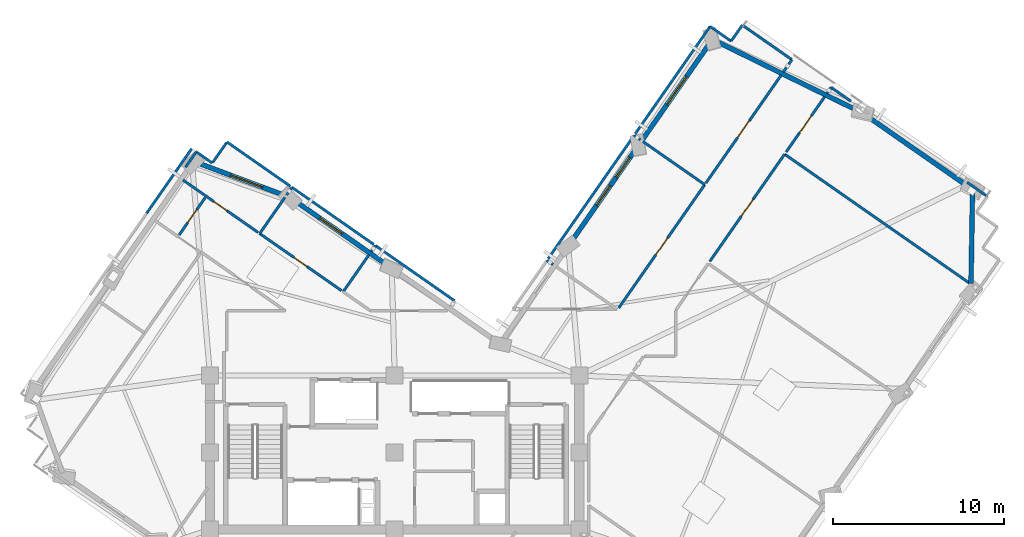
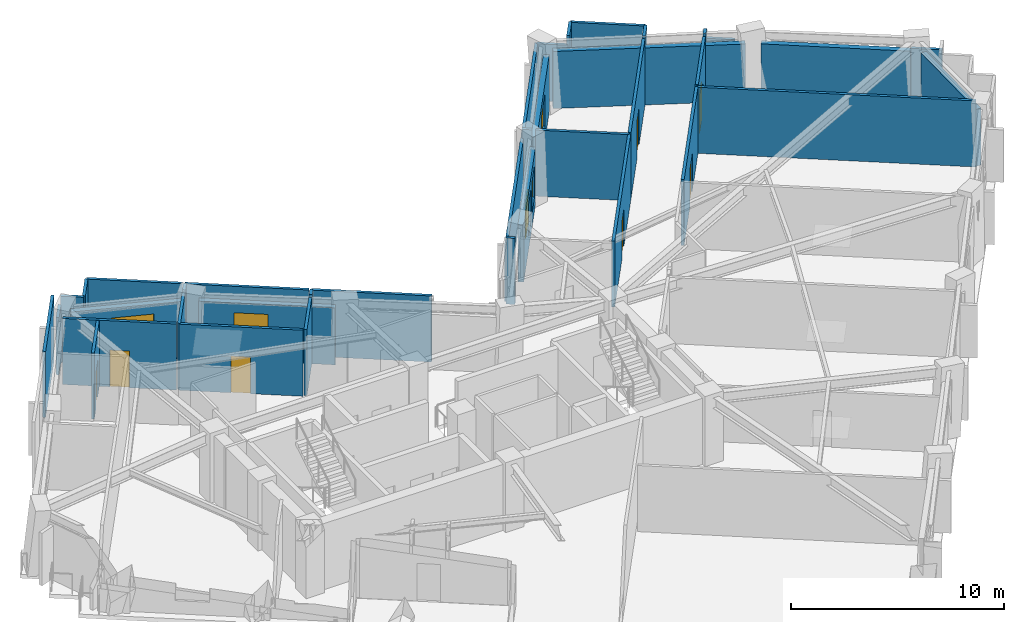
# One storey, part 6 of 12: 38 walls, 7 doors, 5 windows, 12 openings.
"""IFC4 building model written with IfcOpenShell, lengths in metres."""

from ifc_helpers import new_model, si_unit, direction, frame, frame_2d, origin, place, context, subcontext, project, spatial, rectangle, extrude, material, layer, layer_set, type_object, element, fill, save


model = new_model("IFC4")

# Units and contexts
model_context = context("Model", 3, precision=1e-05, world=origin(), true_north=direction((0.0, 1.0)))
body_context = subcontext(model_context, "Body", "Model", "MODEL_VIEW")
ifc_project = project(units=[si_unit("LENGTHUNIT", "METRE"), si_unit("AREAUNIT", "SQUARE_METRE"), si_unit("VOLUMEUNIT", "CUBIC_METRE"), si_unit("PLANEANGLEUNIT", "RADIAN"), si_unit("MASSUNIT", "GRAM", prefix="KILO")], contexts=[model_context])

# Site, building, storey
site_placement = place(None, origin())
site = spatial("IfcSite", under=ifc_project, at=site_placement, CompositionType="ELEMENT")
building_placement = place(site_placement, origin())
building = spatial("IfcBuilding", under=site, at=building_placement, Name="Gaonmaruhae Medical Tower", CompositionType="ELEMENT")
storey_placement = place(building_placement, frame((0.0, 0.0, 259.199951171875)))
storey = spatial("IfcBuildingStorey", under=building, at=storey_placement, Name="L62", CompositionType="ELEMENT", Elevation=259.199951171875)

# Walls
ifc_material_1 = material(Name="Precast concrete C45/55", Category="concrete")
ifc_layer_1 = layer(ifc_material_1, 0.280029296875)
ifc_layer_set_1 = layer_set([ifc_layer_1], Name="Precast concrete C45/55")
wall_type_1 = type_object("IfcWallType", Name="EW-280 Upper Precast Masonry-Frame Facade Wall", PredefinedType="SOLIDWALL", material=ifc_layer_set_1)
wall_1_placement = place(storey_placement, frame((58.5830078125, 27.480712890625, 0.0), z_axis=(0.0, 0.0, 1.0), x_axis=(-0.01655524398, -0.999862952557, 0.0)))
element("IfcWall", 1, at=wall_1_placement, inside=storey, type_object=wall_type_1, Name="L62 Precast Masonry-Frame Wall S06-E01", PredefinedType="SOLIDWALL", context=body_context, shape_type="SweptSolid", body=[
    extrude(rectangle(XDim=5.294189453125, YDim=0.280029296875, at=frame_2d((2.64697265625, 0.0))), origin(), (0.0, 0.0, 1.0), 3.26513671875),
])
wall_2_placement = place(storey_placement, frame((52.392578125, 31.9912109375, 0.0), z_axis=(0.0, 0.0, 1.0), x_axis=(0.820153799644, -0.572143115776, 0.0)))
element("IfcWall", 2, at=wall_2_placement, inside=storey, type_object=wall_type_1, Name="L62 Precast Masonry-Frame Wall E01-E02", PredefinedType="SOLIDWALL", context=body_context, shape_type="SweptSolid", body=[
    extrude(rectangle(XDim=7.04638671875, YDim=0.280029296875, at=frame_2d((3.523193359375, 0.0))), origin(), (0.0, 0.0, 1.0), 3.26513671875),
])
wall_3_placement = place(storey_placement, frame((43.62109375, 36.33251953125, 0.0), z_axis=(0.0, 0.0, 1.0), x_axis=(0.897954429187, -0.440088449182, 0.0)))
element("IfcWall", 3, at=wall_3_placement, inside=storey, type_object=wall_type_1, Name="L62 Precast Masonry-Frame Wall E02-E03", PredefinedType="SOLIDWALL", context=body_context, shape_type="SweptSolid", body=[
    extrude(rectangle(XDim=9.036376953125, YDim=0.280029296875, at=frame_2d((4.51806640625, 0.0))), origin(), (0.0, 0.0, 1.0), 3.26513671875),
])

# Wall, opening, window
wall_4_placement = place(storey_placement, frame((39.2861328125, 30.59130859375, 0.0), z_axis=(0.0, 0.0, 1.0), x_axis=(0.572151742902, 0.820147781253, 0.0)))
wall_4 = element("IfcWall", 4, at=wall_4_placement, inside=storey, type_object=wall_type_1, Name="L62 Precast Masonry-Frame Wall E03-EN01", PredefinedType="SOLIDWALL", context=body_context, shape_type="SweptSolid", body=[
    extrude(rectangle(XDim=6.780029296875, YDim=0.280029296875, at=frame_2d((3.39013671875, 0.0))), origin(), (0.0, 0.0, 1.0), 3.26513671875),
])
opening_1_placement = place(wall_4_placement, frame((2.513671875, 0.0, 0.75)))
opening_1 = element("IfcOpeningElement", 5, at=opening_1_placement, cuts=wall_4, Name="Opening WN-02", PredefinedType="OPENING", context=body_context, shape_type="SweptSolid", body=[
    extrude(rectangle(XDim=2.0, YDim=1.949951171875, at=frame_2d((1.0, 0.97509765625))), frame((0.0, 0.14990234375, 0.0), z_axis=(0.0, -1.0, 0.0), x_axis=(1.0, 0.0, 0.0)), (0.0, 0.0, 1.0), 0.300048828125),
])
ifc_material_2 = material(Name="Anodised aluminium and Low-E double glazing", Category="aluminium")
window_type_1 = type_object("IfcWindowType", Name="WN-02 Double-Bed Ward Punched Window 2000x1950", PartitioningType="SINGLE_PANEL", PredefinedType="WINDOW", material=ifc_material_2)
window_1_placement = place(opening_1_placement, origin())
window_1 = element("IfcWindow", 6, at=window_1_placement, inside=storey, type_object=window_type_1, Name="L62 Modular Facade Window E03", OverallHeight=1.949951171875, OverallWidth=2.0, PartitioningType="SINGLE_PANEL", PredefinedType="WINDOW", context=body_context, shape_type="SweptSolid", body=[
    extrude(rectangle(XDim=2.0, YDim=1.949951171875, at=frame_2d((1.0, 0.97509765625))), frame((0.0, 0.030029296875, 0.0), z_axis=(0.0, -1.0, 0.0), x_axis=(1.0, 0.0, 0.0)), (0.0, 0.0, 1.0), 0.06005859375),
])
fill(opening_1, window_1)

# Wall, openings, windows
wall_5_placement = place(storey_placement, frame((35.169921875, 24.69091796875, 0.0), z_axis=(0.0, 0.0, 1.0), x_axis=(0.572139886834, 0.820156052159, 0.0)))
wall_5 = element("IfcWall", 7, at=wall_5_placement, inside=storey, type_object=wall_type_1, Name="L62 Precast Masonry-Frame Wall EN01-EN02", PredefinedType="SOLIDWALL", context=body_context, shape_type="SweptSolid", body=[
    extrude(rectangle(XDim=6.4091796875, YDim=0.280029296875, at=frame_2d((3.20458984375, 0.0))), origin(), (0.0, 0.0, 1.0), 3.26513671875),
])
opening_2_placement = place(wall_5_placement, frame((2.50341796875, 0.0, 0.75)))
opening_2 = element("IfcOpeningElement", 8, at=opening_2_placement, cuts=wall_5, Name="Opening WN-03", PredefinedType="OPENING", context=body_context, shape_type="SweptSolid", body=[
    extrude(rectangle(XDim=1.39990234375, YDim=1.85009765625, at=frame_2d((0.699951171875, 0.925048828125))), frame((0.0, 0.14990234375, 0.0), z_axis=(0.0, -1.0, 0.0), x_axis=(1.0, 0.0, 0.0)), (0.0, 0.0, 1.0), 0.300048828125),
])
opening_3_placement = place(wall_5_placement, frame((4.52001953125, 0.0, 0.75)))
opening_3 = element("IfcOpeningElement", 9, at=opening_3_placement, cuts=wall_5, Name="Opening WN-03", PredefinedType="OPENING", context=body_context, shape_type="SweptSolid", body=[
    extrude(rectangle(XDim=1.39990234375, YDim=1.85009765625, at=frame_2d((0.699951171875, 0.925048828125))), frame((0.0, 0.14990234375, 0.0), z_axis=(0.0, -1.0, 0.0), x_axis=(1.0, 0.0, 0.0)), (0.0, 0.0, 1.0), 0.300048828125),
])
window_type_2 = type_object("IfcWindowType", Name="WN-03 Isolation Ward Punched Window 1400x1850", PartitioningType="SINGLE_PANEL", PredefinedType="WINDOW", material=ifc_material_2)
window_2_placement = place(opening_2_placement, origin())
window_2 = element("IfcWindow", 10, at=window_2_placement, inside=storey, type_object=window_type_2, Name="L62 Modular Facade Window EN01", OverallHeight=1.85009765625, OverallWidth=1.39990234375, PartitioningType="SINGLE_PANEL", PredefinedType="WINDOW", context=body_context, shape_type="SweptSolid", body=[
    extrude(rectangle(XDim=1.39990234375, YDim=1.85009765625, at=frame_2d((0.699951171875, 0.925048828125))), frame((0.0, 0.030029296875, 0.0), z_axis=(0.0, -1.0, 0.0), x_axis=(1.0, 0.0, 0.0)), (0.0, 0.0, 1.0), 0.06005859375),
])
fill(opening_2, window_2)
window_3_placement = place(opening_3_placement, origin())
window_3 = element("IfcWindow", 11, at=window_3_placement, inside=storey, type_object=window_type_2, Name="L62 Modular Facade Window EN01B", OverallHeight=1.85009765625, OverallWidth=1.39990234375, PartitioningType="SINGLE_PANEL", PredefinedType="WINDOW", context=body_context, shape_type="SweptSolid", body=[
    extrude(rectangle(XDim=1.39990234375, YDim=1.85009765625, at=frame_2d((0.699951171875, 0.925048828125))), frame((0.0, 0.030029296875, 0.0), z_axis=(0.0, -1.0, 0.0), x_axis=(1.0, 0.0, 0.0)), (0.0, 0.0, 1.0), 0.06005859375),
])
fill(opening_3, window_3)

# Wall, opening, window
wall_6_placement = place(storey_placement, frame((19.056396484375, 26.95947265625, 0.0), z_axis=(0.0, 0.0, 1.0), x_axis=(0.820153911143, -0.572142955945, 0.0)))
wall_6 = element("IfcWall", 12, at=wall_6_placement, inside=storey, type_object=wall_type_1, Name="L62 Precast Masonry-Frame Wall NE01-NE02", PredefinedType="SOLIDWALL", context=body_context, shape_type="SweptSolid", body=[
    extrude(rectangle(XDim=6.424072265625, YDim=0.280029296875, at=frame_2d((3.2119140625, 0.0))), origin(), (0.0, 0.0, 1.0), 3.26513671875),
])
opening_4_placement = place(wall_6_placement, frame((1.66357421875, 0.0, 0.75)))
opening_4 = element("IfcOpeningElement", 13, at=opening_4_placement, cuts=wall_6, Name="Opening WN-01", PredefinedType="OPENING", context=body_context, shape_type="SweptSolid", body=[
    extrude(rectangle(XDim=1.60009765625, YDim=1.949951171875, at=frame_2d((0.800048828125, 0.97509765625))), frame((0.0, 0.14990234375, 0.0), z_axis=(0.0, -1.0, 0.0), x_axis=(1.0, 0.0, 0.0)), (0.0, 0.0, 1.0), 0.300048828125),
])
window_type_3 = type_object("IfcWindowType", Name="WN-01 Ward Punched Acoustic Window 1600x1950", PartitioningType="SINGLE_PANEL", PredefinedType="WINDOW", material=ifc_material_2)
window_4_placement = place(opening_4_placement, origin())
window_4 = element("IfcWindow", 14, at=window_4_placement, inside=storey, type_object=window_type_3, Name="L62 Modular Facade Window NE01", OverallHeight=1.949951171875, OverallWidth=1.60009765625, PartitioningType="SINGLE_PANEL", PredefinedType="WINDOW", context=body_context, shape_type="SweptSolid", body=[
    extrude(rectangle(XDim=1.60009765625, YDim=1.949951171875, at=frame_2d((0.800048828125, 0.97509765625))), frame((0.0, 0.030029296875, 0.0), z_axis=(0.0, -1.0, 0.0), x_axis=(1.0, 0.0, 0.0)), (0.0, 0.0, 1.0), 0.06005859375),
])
fill(opening_4, window_4)

wall_7_placement = place(storey_placement, frame((13.402099609375, 29.19140625, 0.0), z_axis=(0.0, 0.0, 1.0), x_axis=(0.936554152669, -0.350522922387, 0.0)))
wall_7 = element("IfcWall", 15, at=wall_7_placement, inside=storey, type_object=wall_type_1, Name="L62 Precast Masonry-Frame Wall NE02-N01", PredefinedType="SOLIDWALL", context=body_context, shape_type="SweptSolid", body=[
    extrude(rectangle(XDim=5.302490234375, YDim=0.280029296875, at=frame_2d((2.6513671875, 0.0))), origin(), (0.0, 0.0, 1.0), 3.26513671875),
])
opening_5_placement = place(wall_7_placement, frame((1.927001953125, 0.0, 0.75)))
opening_5 = element("IfcOpeningElement", 16, at=opening_5_placement, cuts=wall_7, Name="Opening WN-02", PredefinedType="OPENING", context=body_context, shape_type="SweptSolid", body=[
    extrude(rectangle(XDim=2.0, YDim=1.949951171875, at=frame_2d((1.0, 0.97509765625))), frame((0.0, 0.14990234375, 0.0), z_axis=(0.0, -1.0, 0.0), x_axis=(1.0, 0.0, 0.0)), (0.0, 0.0, 1.0), 0.300048828125),
])
window_5_placement = place(opening_5_placement, origin())
window_5 = element("IfcWindow", 17, at=window_5_placement, inside=storey, type_object=window_type_1, Name="L62 Modular Facade Window NE02", OverallHeight=1.949951171875, OverallWidth=2.0, PartitioningType="SINGLE_PANEL", PredefinedType="WINDOW", context=body_context, shape_type="SweptSolid", body=[
    extrude(rectangle(XDim=2.0, YDim=1.949951171875, at=frame_2d((1.0, 0.97509765625))), frame((0.0, 0.030029296875, 0.0), z_axis=(0.0, -1.0, 0.0), x_axis=(1.0, 0.0, 0.0)), (0.0, 0.0, 1.0), 0.06005859375),
])
fill(opening_5, window_5)

# Wall, opening, door
ifc_material_3 = material(Name="Gypsum board partition", Category="gypsum")
ifc_layer_2 = layer(ifc_material_3, 0.14990234375)
ifc_layer_set_2 = layer_set([ifc_layer_2], Name="Gypsum board partition")
wall_type_2 = type_object("IfcWallType", Name="PW-150 Rated Clinical Corridor Partition", PredefinedType="PARTITIONING", material=ifc_layer_set_2)
wall_8_placement = place(storey_placement, frame((43.22607421875, 23.47998046875, 0.0), z_axis=(0.0, 0.0, 1.0), x_axis=(0.572106115417, 0.820179610026, 0.0)))
wall_8 = element("IfcWall", 18, at=wall_8_placement, inside=storey, type_object=wall_type_2, Name="L62 Interior Partition L62-SUP05-23", PredefinedType="PARTITIONING", context=body_context, shape_type="SweptSolid", body=[
    extrude(rectangle(XDim=7.639892578125, YDim=0.14990234375, at=frame_2d((3.81982421875, 0.0))), origin(), (0.0, 0.0, 1.0), 3.780029296875),
])
opening_6_placement = place(wall_8_placement, frame((3.219970703125, 0.0, 0.0)))
opening_6 = element("IfcOpeningElement", 19, at=opening_6_placement, cuts=wall_8, Name="Opening CD-02", PredefinedType="OPENING", context=body_context, shape_type="SweptSolid", body=[
    extrude(rectangle(XDim=1.199951171875, YDim=2.14990234375, at=frame_2d((0.60009765625, 1.074951171875))), frame((0.0, 0.0849609375, 0.0), z_axis=(0.0, -1.0, 0.0), x_axis=(1.0, 0.0, 0.0)), (0.0, 0.0, 1.0), 0.169921875),
])
ifc_material_4 = material(Name="Antimicrobial laminate timber fire door", Category="wood")
door_type_1 = type_object("IfcDoorType", Name="CD-02 Clinical Treatment & Procedure Door 1200x2150", OperationType="NOTDEFINED", PredefinedType="DOOR", material=ifc_material_4)
door_1_placement = place(opening_6_placement, origin())
door_1 = element("IfcDoor", 20, at=door_1_placement, inside=storey, type_object=door_type_1, Name="L62 Clinical Biomedical Charting Office Door", OperationType="SINGLE_SWING_RIGHT", OverallHeight=2.14990234375, OverallWidth=1.199951171875, PredefinedType="DOOR", context=body_context, shape_type="SweptSolid", body=[
    extrude(rectangle(XDim=1.199951171875, YDim=2.14990234375, at=frame_2d((0.60009765625, 1.074951171875))), frame((0.0, 0.02490234375, 0.0), z_axis=(0.0, -1.0, 0.0), x_axis=(1.0, 0.0, 0.0)), (0.0, 0.0, 1.0), 0.050048828125),
])
fill(opening_6, door_1)

# Wall
wall_9_placement = place(storey_placement, frame((47.596923828125, 29.74609375, 0.0), z_axis=(0.0, 0.0, 1.0), x_axis=(0.820150255488, -0.572148196207, 0.0)))
element("IfcWall", 21, at=wall_9_placement, inside=storey, type_object=wall_type_2, Name="L62 Interior Partition L62-SUP05-24", PredefinedType="PARTITIONING", context=body_context, shape_type="SweptSolid", body=[
    extrude(rectangle(XDim=13.14892578125, YDim=0.14990234375, at=frame_2d((6.574462890625, 0.0))), origin(), (0.0, 0.0, 1.0), 3.780029296875),
])

# Wall, opening, door
wall_10_placement = place(storey_placement, frame((47.68896484375, 29.876953125, 0.0), z_axis=(0.0, 0.0, 1.0), x_axis=(0.572088498576, 0.820191898154, 0.0)))
wall_10 = element("IfcWall", 22, at=wall_10_placement, inside=storey, type_object=wall_type_2, Name="L62 Interior Partition L62-SUP06-31", PredefinedType="PARTITIONING", context=body_context, shape_type="SweptSolid", body=[
    extrude(rectangle(XDim=3.93798828125, YDim=0.14990234375, at=frame_2d((1.968994140625, 0.0))), origin(), (0.0, 0.0, 1.0), 3.780029296875),
])
opening_7_placement = place(wall_10_placement, frame((1.369140625, 0.0, 0.0)))
opening_7 = element("IfcOpeningElement", 23, at=opening_7_placement, cuts=wall_10, Name="Opening CD-02", PredefinedType="OPENING", context=body_context, shape_type="SweptSolid", body=[
    extrude(rectangle(XDim=1.199951171875, YDim=2.14990234375, at=frame_2d((0.60009765625, 1.074951171875))), frame((0.0, 0.0849609375, 0.0), z_axis=(0.0, -1.0, 0.0), x_axis=(1.0, 0.0, 0.0)), (0.0, 0.0, 1.0), 0.169921875),
])
door_2_placement = place(opening_7_placement, origin())
door_2 = element("IfcDoor", 24, at=door_2_placement, inside=storey, type_object=door_type_1, Name="L62 Clinical Biomedical Charting Office Door", OperationType="SINGLE_SWING_RIGHT", OverallHeight=2.14990234375, OverallWidth=1.199951171875, PredefinedType="DOOR", context=body_context, shape_type="SweptSolid", body=[
    extrude(rectangle(XDim=1.199951171875, YDim=2.14990234375, at=frame_2d((0.60009765625, 1.074951171875))), frame((0.0, 0.02490234375, 0.0), z_axis=(0.0, -1.0, 0.0), x_axis=(1.0, 0.0, 0.0)), (0.0, 0.0, 1.0), 0.050048828125),
])
fill(opening_7, door_2)

# Walls
wall_11_placement = place(storey_placement, frame((50.074951171875, 33.297119140625, 0.0), z_axis=(0.0, 0.0, 1.0), x_axis=(0.571804370731, 0.820390005798, 0.0)))
element("IfcWall", 25, at=wall_11_placement, inside=storey, type_object=wall_type_2, Name="L62 Interior Partition L62-SUP06-32", PredefinedType="PARTITIONING", context=body_context, shape_type="SweptSolid", body=[
    extrude(rectangle(XDim=0.42529296875, YDim=0.14990234375, at=frame_2d((0.212646484375, 0.0))), origin(), (0.0, 0.0, 1.0), 3.780029296875),
])
wall_12_placement = place(storey_placement, frame((50.318115234375, 33.64599609375, 0.0), z_axis=(0.0, 0.0, 1.0), x_axis=(0.820143998483, -0.572157165255, 0.0)))
element("IfcWall", 26, at=wall_12_placement, inside=storey, type_object=wall_type_2, Name="L62 Interior Partition L62-SUP06-33", PredefinedType="PARTITIONING", context=body_context, shape_type="SweptSolid", body=[
    extrude(rectangle(XDim=1.40673828125, YDim=0.14990234375, at=frame_2d((0.703369140625, 0.0))), origin(), (0.0, 0.0, 1.0), 3.26513671875),
])
wall_13_placement = place(storey_placement, frame((58.26904296875, 28.09912109375, 0.0), z_axis=(0.0, 0.0, 1.0), x_axis=(0.820097669711, -0.572223568314, 0.0)))
element("IfcWall", 27, at=wall_13_placement, inside=storey, type_object=wall_type_2, Name="L62 Interior Partition L62-SUP06-35", PredefinedType="PARTITIONING", context=body_context, shape_type="SweptSolid", body=[
    extrude(rectangle(XDim=1.455810546875, YDim=0.14990234375, at=frame_2d((0.72802734375, 0.0))), origin(), (0.0, 0.0, 1.0), 3.26513671875),
])
wall_14_placement = place(storey_placement, frame((33.697998046875, 23.5419921875, 0.0), z_axis=(0.0, 0.0, 1.0), x_axis=(0.820126954301, -0.572181596024, 0.0)))
element("IfcWall", 28, at=wall_14_placement, inside=storey, type_object=wall_type_2, Name="L62 Interior Partition L62-IE01-54", PredefinedType="PARTITIONING", context=body_context, shape_type="SweptSolid", body=[
    extrude(rectangle(XDim=0.435302734375, YDim=0.14990234375, at=frame_2d((0.2177734375, 0.0))), origin(), (0.0, 0.0, 1.0), 3.780029296875),
])

# Wall, opening, door
wall_15_placement = place(storey_placement, frame((42.927978515625, 27.964111328125, 0.0), z_axis=(0.0, 0.0, 1.0), x_axis=(-0.572175077439, -0.820131502113, 0.0)))
wall_15 = element("IfcWall", 29, at=wall_15_placement, inside=storey, type_object=wall_type_2, Name="L62 Interior Partition L62-IE02-59", PredefinedType="PARTITIONING", context=body_context, shape_type="SweptSolid", body=[
    extrude(rectangle(XDim=8.78759765625, YDim=0.14990234375, at=frame_2d((4.393798828125, 0.0))), origin(), (0.0, 0.0, 1.0), 3.780029296875),
])
opening_8_placement = place(wall_15_placement, frame((3.793701171875, 0.0, 0.0)))
opening_8 = element("IfcOpeningElement", 30, at=opening_8_placement, cuts=wall_15, Name="Opening CD-02", PredefinedType="OPENING", context=body_context, shape_type="SweptSolid", body=[
    extrude(rectangle(XDim=1.199951171875, YDim=2.14990234375, at=frame_2d((0.60009765625, 1.074951171875))), frame((0.0, 0.0849609375, 0.0), z_axis=(0.0, -1.0, 0.0), x_axis=(1.0, 0.0, 0.0)), (0.0, 0.0, 1.0), 0.169921875),
])
door_3_placement = place(opening_8_placement, origin())
door_3 = element("IfcDoor", 31, at=door_3_placement, inside=storey, type_object=door_type_1, Name="L62 Acute Treatment Examination Room Door", OperationType="SINGLE_SWING_LEFT", OverallHeight=2.14990234375, OverallWidth=1.199951171875, PredefinedType="DOOR", context=body_context, shape_type="SweptSolid", body=[
    extrude(rectangle(XDim=1.199951171875, YDim=2.14990234375, at=frame_2d((0.60009765625, 1.074951171875))), frame((0.0, 0.02490234375, 0.0), z_axis=(0.0, -1.0, 0.0), x_axis=(1.0, 0.0, 0.0)), (0.0, 0.0, 1.0), 0.050048828125),
])
fill(opening_8, door_3)

# Walls
wall_16_placement = place(storey_placement, frame((33.76611328125, 23.639892578125, 0.0), z_axis=(0.0, 0.0, 1.0), x_axis=(0.572104245641, 0.820180914262, 0.0)))
element("IfcWall", 32, at=wall_16_placement, inside=storey, type_object=wall_type_2, Name="L62 Interior Partition L62-IE02-60", PredefinedType="PARTITIONING", context=body_context, shape_type="SweptSolid", body=[
    extrude(rectangle(XDim=8.788330078125, YDim=0.14990234375, at=frame_2d((4.39404296875, 0.0))), origin(), (0.0, 0.0, 1.0), 3.26513671875),
])
wall_17_placement = place(storey_placement, frame((38.7939453125, 30.847900390625, 0.0), z_axis=(0.0, 0.0, 1.0), x_axis=(0.820179124448, -0.572106811548, 0.0)))
element("IfcWall", 33, at=wall_17_placement, inside=storey, type_object=wall_type_2, Name="L62 Interior Partition L62-IE02-61", PredefinedType="PARTITIONING", context=body_context, shape_type="SweptSolid", body=[
    extrude(rectangle(XDim=0.459716796875, YDim=0.14990234375, at=frame_2d((0.22998046875, 0.0))), origin(), (0.0, 0.0, 1.0), 3.780029296875),
])
wall_18_placement = place(storey_placement, frame((39.319091796875, 30.48095703125, 0.0), z_axis=(0.0, 0.0, 1.0), x_axis=(0.820231700671, -0.572031430268, 0.0)))
element("IfcWall", 34, at=wall_18_placement, inside=storey, type_object=wall_type_2, Name="L62 Interior Partition L62-IE02-62", PredefinedType="PARTITIONING", context=body_context, shape_type="SweptSolid", body=[
    extrude(rectangle(XDim=4.39990234375, YDim=0.14990234375, at=frame_2d((2.199951171875, 0.0))), origin(), (0.0, 0.0, 1.0), 3.780029296875),
])
wall_19_placement = place(storey_placement, frame((44.468994140625, 36.360107421875, 0.0), z_axis=(0.0, 0.0, 1.0), x_axis=(0.572124636032, 0.82016669089, 0.0)))
element("IfcWall", 35, at=wall_19_placement, inside=storey, type_object=wall_type_2, Name="L62 Interior Partition L62-IE03-63", PredefinedType="PARTITIONING", context=body_context, shape_type="SweptSolid", body=[
    extrude(rectangle(XDim=1.139892578125, YDim=0.14990234375, at=frame_2d((0.56982421875, 0.0))), origin(), (0.0, 0.0, 1.0), 3.780029296875),
])
wall_20_placement = place(storey_placement, frame((45.12109375, 37.294921875, 0.0), z_axis=(0.0, 0.0, 1.0), x_axis=(0.820260896589, -0.571989564176, 0.0)))
element("IfcWall", 36, at=wall_20_placement, inside=storey, type_object=wall_type_2, Name="L62 Interior Partition L62-IE03-64", PredefinedType="PARTITIONING", context=body_context, shape_type="SweptSolid", body=[
    extrude(rectangle(XDim=3.5400390625, YDim=0.14990234375, at=frame_2d((1.77001953125, 0.0))), origin(), (0.0, 0.0, 1.0), 3.780029296875),
])
wall_21_placement = place(storey_placement, frame((48.02490234375, 35.27001953125, 0.0), z_axis=(0.0, 0.0, 1.0), x_axis=(-0.572138151462, -0.82015726275, 0.0)))
element("IfcWall", 37, at=wall_21_placement, inside=storey, type_object=wall_type_2, Name="L62 Interior Partition L62-IE03-65", PredefinedType="PARTITIONING", context=body_context, shape_type="SweptSolid", body=[
    extrude(rectangle(XDim=0.879150390625, YDim=0.14990234375, at=frame_2d((0.439453125, 0.0))), origin(), (0.0, 0.0, 1.0), 3.780029296875),
])

# Wall, opening, door
wall_22_placement = place(storey_placement, frame((47.388916015625, 34.35791015625, 0.0), z_axis=(0.0, 0.0, 1.0), x_axis=(-0.572185078761, -0.820124524474, 0.0)))
wall_22 = element("IfcWall", 38, at=wall_22_placement, inside=storey, type_object=wall_type_2, Name="L62 Interior Partition L62-IE03-66", PredefinedType="PARTITIONING", context=body_context, shape_type="SweptSolid", body=[
    extrude(rectangle(XDim=7.675537109375, YDim=0.14990234375, at=frame_2d((3.837890625, 0.0))), origin(), (0.0, 0.0, 1.0), 3.780029296875),
])
opening_9_placement = place(wall_22_placement, frame((3.23779296875, 0.0, 0.0)))
opening_9 = element("IfcOpeningElement", 39, at=opening_9_placement, cuts=wall_22, Name="Opening CD-02", PredefinedType="OPENING", context=body_context, shape_type="SweptSolid", body=[
    extrude(rectangle(XDim=1.199951171875, YDim=2.14990234375, at=frame_2d((0.60009765625, 1.074951171875))), frame((0.0, 0.0849609375, 0.0), z_axis=(0.0, -1.0, 0.0), x_axis=(1.0, 0.0, 0.0)), (0.0, 0.0, 1.0), 0.169921875),
])
door_4_placement = place(opening_9_placement, origin())
door_4 = element("IfcDoor", 40, at=door_4_placement, inside=storey, type_object=door_type_1, Name="L62 Clean Medication Preparation Room Door", OperationType="SINGLE_SWING_LEFT", OverallHeight=2.14990234375, OverallWidth=1.199951171875, PredefinedType="DOOR", context=body_context, shape_type="SweptSolid", body=[
    extrude(rectangle(XDim=1.199951171875, YDim=2.14990234375, at=frame_2d((0.60009765625, 1.074951171875))), frame((0.0, 0.02490234375, 0.0), z_axis=(0.0, -1.0, 0.0), x_axis=(1.0, 0.0, 0.0)), (0.0, 0.0, 1.0), 0.050048828125),
])
fill(opening_9, door_4)

# Walls
wall_23_placement = place(storey_placement, frame((38.863037109375, 30.946044921875, 0.0), z_axis=(0.0, 0.0, 1.0), x_axis=(0.572137657031, 0.820157607663, 0.0)))
element("IfcWall", 41, at=wall_23_placement, inside=storey, type_object=wall_type_2, Name="L62 Interior Partition L62-IE03-67", PredefinedType="PARTITIONING", context=body_context, shape_type="SweptSolid", body=[
    extrude(rectangle(XDim=7.6484375, YDim=0.14990234375, at=frame_2d((3.82421875, 0.0))), origin(), (0.0, 0.0, 1.0), 3.26513671875),
])
wall_24_placement = place(storey_placement, frame((43.239013671875, 37.218994140625, 0.0), z_axis=(0.0, 0.0, 1.0), x_axis=(0.819888899146, -0.572522657244, 0.0)))
element("IfcWall", 42, at=wall_24_placement, inside=storey, type_object=wall_type_2, Name="L62 Interior Partition L62-IE03-68", PredefinedType="PARTITIONING", context=body_context, shape_type="SweptSolid", body=[
    extrude(rectangle(XDim=1.500244140625, YDim=0.14990234375, at=frame_2d((0.75, 0.0))), origin(), (0.0, 0.0, 1.0), 3.26513671875),
])
wall_25_placement = place(storey_placement, frame((21.7880859375, 21.700927734375, 0.0), z_axis=(0.0, 0.0, 1.0), x_axis=(0.571943852359, 0.820292770752, 0.0)))
element("IfcWall", 43, at=wall_25_placement, inside=storey, type_object=wall_type_2, Name="L62 Interior Partition L62-IN01-71", PredefinedType="PARTITIONING", context=body_context, shape_type="SweptSolid", body=[
    extrude(rectangle(XDim=2.634521484375, YDim=0.14990234375, at=frame_2d((1.3173828125, 0.0))), origin(), (0.0, 0.0, 1.0), 3.780029296875),
])
wall_26_placement = place(storey_placement, frame((23.427001953125, 24.051025390625, 0.0), z_axis=(0.0, 0.0, 1.0), x_axis=(0.572181596024, 0.820126954301, 0.0)))
element("IfcWall", 44, at=wall_26_placement, inside=storey, type_object=wall_type_2, Name="L62 Interior Partition L62-IN01-72", PredefinedType="PARTITIONING", context=body_context, shape_type="SweptSolid", body=[
    extrude(rectangle(XDim=0.435302734375, YDim=0.14990234375, at=frame_2d((0.2177734375, 0.0))), origin(), (0.0, 0.0, 1.0), 3.780029296875),
])
wall_27_placement = place(storey_placement, frame((23.676025390625, 24.407958984375, 0.0), z_axis=(0.0, 0.0, 1.0), x_axis=(0.820121300716, -0.57218969941, 0.0)))
element("IfcWall", 45, at=wall_27_placement, inside=storey, type_object=wall_type_2, Name="L62 Interior Partition L62-IN01-73", PredefinedType="PARTITIONING", context=body_context, shape_type="SweptSolid", body=[
    extrude(rectangle(XDim=5.6552734375, YDim=0.14990234375, at=frame_2d((2.82763671875, 0.0))), origin(), (0.0, 0.0, 1.0), 3.780029296875),
])

# Wall, opening, door
wall_28_placement = place(storey_placement, frame((21.68896484375, 21.77001953125, 0.0), z_axis=(0.0, 0.0, 1.0), x_axis=(-0.820177227942, 0.572109530393, 0.0)))
wall_28 = element("IfcWall", 46, at=wall_28_placement, inside=storey, type_object=wall_type_2, Name="L62 Interior Partition L62-IN02-75", PredefinedType="PARTITIONING", context=body_context, shape_type="SweptSolid", body=[
    extrude(rectangle(XDim=5.829345703125, YDim=0.14990234375, at=frame_2d((2.91455078125, 0.0))), origin(), (0.0, 0.0, 1.0), 3.780029296875),
])
opening_10_placement = place(wall_28_placement, frame((2.45458984375, 0.0, 0.0)))
opening_10 = element("IfcOpeningElement", 47, at=opening_10_placement, cuts=wall_28, Name="Opening UD-01", PredefinedType="OPENING", context=body_context, shape_type="SweptSolid", body=[
    extrude(rectangle(XDim=0.919921875, YDim=2.10009765625, at=frame_2d((0.4599609375, 1.050048828125))), frame((0.0, 0.0849609375, 0.0), z_axis=(0.0, -1.0, 0.0), x_axis=(1.0, 0.0, 0.0)), (0.0, 0.0, 1.0), 0.169921875),
])
ifc_material_5 = material(Name="Powder-coated steel utility door", Category="steel")
door_type_2 = type_object("IfcDoorType", Name="UD-01 Toilet, Utility & Housekeeping Door 920x2100", OperationType="NOTDEFINED", PredefinedType="DOOR", material=ifc_material_5)
door_5_placement = place(opening_10_placement, origin())
door_5 = element("IfcDoor", 48, at=door_5_placement, inside=storey, type_object=door_type_2, Name="L62 Ward Nutrition Pantry Door", OperationType="SINGLE_SWING_LEFT", OverallHeight=2.10009765625, OverallWidth=0.919921875, PredefinedType="DOOR", context=body_context, shape_type="SweptSolid", body=[
    extrude(rectangle(XDim=0.919921875, YDim=2.10009765625, at=frame_2d((0.4599609375, 1.050048828125))), frame((0.0, 0.02490234375, 0.0), z_axis=(0.0, -1.0, 0.0), x_axis=(1.0, 0.0, 0.0)), (0.0, 0.0, 1.0), 0.050048828125),
])
fill(opening_10, door_5)

# Walls
wall_29_placement = place(storey_placement, frame((16.907958984375, 25.10498046875, 0.0), z_axis=(0.0, 0.0, 1.0), x_axis=(0.571980057707, 0.820267525619, 0.0)))
element("IfcWall", 49, at=wall_29_placement, inside=storey, type_object=wall_type_2, Name="L62 Interior Partition L62-IN02-76", PredefinedType="PARTITIONING", context=body_context, shape_type="SweptSolid", body=[
    extrude(rectangle(XDim=2.5771484375, YDim=0.14990234375, at=frame_2d((1.28857421875, 0.0))), origin(), (0.0, 0.0, 1.0), 3.780029296875),
])
wall_30_placement = place(storey_placement, frame((18.47998046875, 27.35888671875, 0.0), z_axis=(0.0, 0.0, 1.0), x_axis=(0.571918856156, 0.820310198628, 0.0)))
element("IfcWall", 50, at=wall_30_placement, inside=storey, type_object=wall_type_2, Name="L62 Interior Partition L62-IN02-77", PredefinedType="PARTITIONING", context=body_context, shape_type="SweptSolid", body=[
    extrude(rectangle(XDim=0.552490234375, YDim=0.14990234375, at=frame_2d((0.2763671875, 0.0))), origin(), (0.0, 0.0, 1.0), 3.780029296875),
])
wall_31_placement = place(storey_placement, frame((18.7958984375, 27.81201171875, 0.0), z_axis=(0.0, 0.0, 1.0), x_axis=(0.820098618175, -0.572222208995, 0.0)))
element("IfcWall", 51, at=wall_31_placement, inside=storey, type_object=wall_type_2, Name="L62 Interior Partition L62-IN02-78", PredefinedType="PARTITIONING", context=body_context, shape_type="SweptSolid", body=[
    extrude(rectangle(XDim=5.829833984375, YDim=0.14990234375, at=frame_2d((2.9150390625, 0.0))), origin(), (0.0, 0.0, 1.0), 3.780029296875),
])
wall_32_placement = place(storey_placement, frame((14.993896484375, 30.464111328125, 0.0), z_axis=(0.0, 0.0, 1.0), x_axis=(0.820185960607, -0.572097011025, 0.0)))
element("IfcWall", 52, at=wall_32_placement, inside=storey, type_object=wall_type_2, Name="L62 Interior Partition L62-IN03-79", PredefinedType="PARTITIONING", context=body_context, shape_type="SweptSolid", body=[
    extrude(rectangle(XDim=4.514892578125, YDim=0.14990234375, at=frame_2d((2.25732421875, 0.0))), origin(), (0.0, 0.0, 1.0), 3.780029296875),
])

# Wall, opening, door
wall_33_placement = place(storey_placement, frame((16.80908203125, 25.174072265625, 0.0), z_axis=(0.0, 0.0, 1.0), x_axis=(-0.820095076811, 0.572227284382, 0.0)))
wall_33 = element("IfcWall", 53, at=wall_33_placement, inside=storey, type_object=wall_type_2, Name="L62 Interior Partition L62-IN03-80", PredefinedType="PARTITIONING", context=body_context, shape_type="SweptSolid", body=[
    extrude(rectangle(XDim=5.349365234375, YDim=0.14990234375, at=frame_2d((2.6748046875, 0.0))), origin(), (0.0, 0.0, 1.0), 3.780029296875),
])
opening_11_placement = place(wall_33_placement, frame((2.214599609375, 0.0, 0.0)))
opening_11 = element("IfcOpeningElement", 54, at=opening_11_placement, cuts=wall_33, Name="Opening UD-01", PredefinedType="OPENING", context=body_context, shape_type="SweptSolid", body=[
    extrude(rectangle(XDim=0.919921875, YDim=2.10009765625, at=frame_2d((0.4599609375, 1.050048828125))), frame((0.0, 0.0849609375, 0.0), z_axis=(0.0, -1.0, 0.0), x_axis=(1.0, 0.0, 0.0)), (0.0, 0.0, 1.0), 0.169921875),
])
door_6_placement = place(opening_11_placement, origin())
door_6 = element("IfcDoor", 55, at=door_6_placement, inside=storey, type_object=door_type_2, Name="L62 Public Visitor Toilet Door", OperationType="SINGLE_SWING_LEFT", OverallHeight=2.10009765625, OverallWidth=0.919921875, PredefinedType="DOOR", context=body_context, shape_type="SweptSolid", body=[
    extrude(rectangle(XDim=0.919921875, YDim=2.10009765625, at=frame_2d((0.4599609375, 1.050048828125))), frame((0.0, 0.02490234375, 0.0), z_axis=(0.0, -1.0, 0.0), x_axis=(1.0, 0.0, 0.0)), (0.0, 0.0, 1.0), 0.050048828125),
])
fill(opening_11, door_6)

# Walls
wall_34_placement = place(storey_placement, frame((12.570068359375, 28.98193359375, 0.0), z_axis=(0.0, 0.0, 1.0), x_axis=(0.572257804194, 0.820073780546, 0.0)))
element("IfcWall", 56, at=wall_34_placement, inside=storey, type_object=wall_type_2, Name="L62 Interior Partition L62-IN03-81", PredefinedType="PARTITIONING", context=body_context, shape_type="SweptSolid", body=[
    extrude(rectangle(XDim=1.102294921875, YDim=0.14990234375, at=frame_2d((0.55126953125, 0.0))), origin(), (0.0, 0.0, 1.0), 3.26513671875),
])
wall_35_placement = place(storey_placement, frame((13.241943359375, 29.85693359375, 0.0), z_axis=(0.0, 0.0, 1.0), x_axis=(0.82043001279, -0.57174696686, 0.0)))
element("IfcWall", 57, at=wall_35_placement, inside=storey, type_object=wall_type_2, Name="L62 Interior Partition L62-IN03-82", PredefinedType="PARTITIONING", context=body_context, shape_type="SweptSolid", body=[
    extrude(rectangle(XDim=1.08984375, YDim=0.14990234375, at=frame_2d((0.544921875, 0.0))), origin(), (0.0, 0.0, 1.0), 3.780029296875),
])
wall_36_placement = place(storey_placement, frame((14.1650390625, 29.27490234375, 0.0), z_axis=(0.0, 0.0, 1.0), x_axis=(0.571693029817, 0.820467598177, 0.0)))
element("IfcWall", 58, at=wall_36_placement, inside=storey, type_object=wall_type_2, Name="L62 Interior Partition L62-IN03-83", PredefinedType="PARTITIONING", context=body_context, shape_type="SweptSolid", body=[
    extrude(rectangle(XDim=1.3994140625, YDim=0.14990234375, at=frame_2d((0.69970703125, 0.0))), origin(), (0.0, 0.0, 1.0), 3.780029296875),
])

# Wall, opening, door
wall_37_placement = place(storey_placement, frame((13.721923828125, 27.2060546875, 0.0), z_axis=(0.0, 0.0, 1.0), x_axis=(-0.57236747175, -0.819997242241, 0.0)))
wall_37 = element("IfcWall", 59, at=wall_37_placement, inside=storey, type_object=wall_type_2, Name="L62 Interior Partition L62-RM03-87", PredefinedType="PARTITIONING", context=body_context, shape_type="SweptSolid", body=[
    extrude(rectangle(XDim=2.650146484375, YDim=0.14990234375, at=frame_2d((1.3251953125, 0.0))), origin(), (0.0, 0.0, 1.0), 3.780029296875),
])
opening_12_placement = place(wall_37_placement, frame((0.864990234375, 0.0, 0.0)))
opening_12 = element("IfcOpeningElement", 60, at=opening_12_placement, cuts=wall_37, Name="Opening UD-01", PredefinedType="OPENING", context=body_context, shape_type="SweptSolid", body=[
    extrude(rectangle(XDim=0.919921875, YDim=2.10009765625, at=frame_2d((0.4599609375, 1.050048828125))), frame((0.0, 0.0849609375, 0.0), z_axis=(0.0, -1.0, 0.0), x_axis=(1.0, 0.0, 0.0)), (0.0, 0.0, 1.0), 0.169921875),
])
door_7_placement = place(opening_12_placement, origin())
door_7 = element("IfcDoor", 61, at=door_7_placement, inside=storey, type_object=door_type_2, Name="L62 Biomedical Mobile Equipment Bay Door", OperationType="SINGLE_SWING_LEFT", OverallHeight=2.10009765625, OverallWidth=0.919921875, PredefinedType="DOOR", context=body_context, shape_type="SweptSolid", body=[
    extrude(rectangle(XDim=0.919921875, YDim=2.10009765625, at=frame_2d((0.4599609375, 1.050048828125))), frame((0.0, 0.02490234375, 0.0), z_axis=(0.0, -1.0, 0.0), x_axis=(1.0, 0.0, 0.0)), (0.0, 0.0, 1.0), 0.050048828125),
])
fill(opening_12, door_7)

# Wall
wall_38_placement = place(storey_placement, frame((10.287109375, 26.285888671875, 0.0), z_axis=(0.0, 0.0, 1.0), x_axis=(0.572078260331, 0.820199039293, 0.0)))
element("IfcWall", 62, at=wall_38_placement, inside=storey, type_object=wall_type_2, Name="L62 Interior Partition L62-RM03-88", PredefinedType="PARTITIONING", context=body_context, shape_type="SweptSolid", body=[
    extrude(rectangle(XDim=4.61962890625, YDim=0.14990234375, at=frame_2d((2.309814453125, 0.0))), origin(), (0.0, 0.0, 1.0), 3.780029296875),
])

save(model, "model.ifc")
